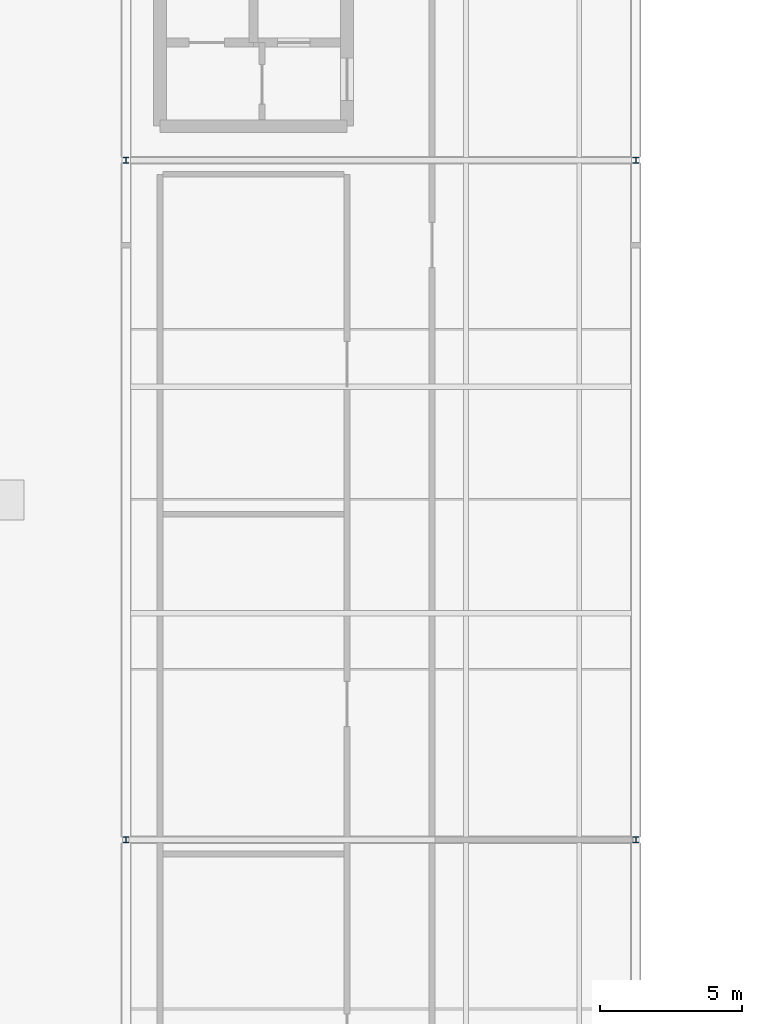
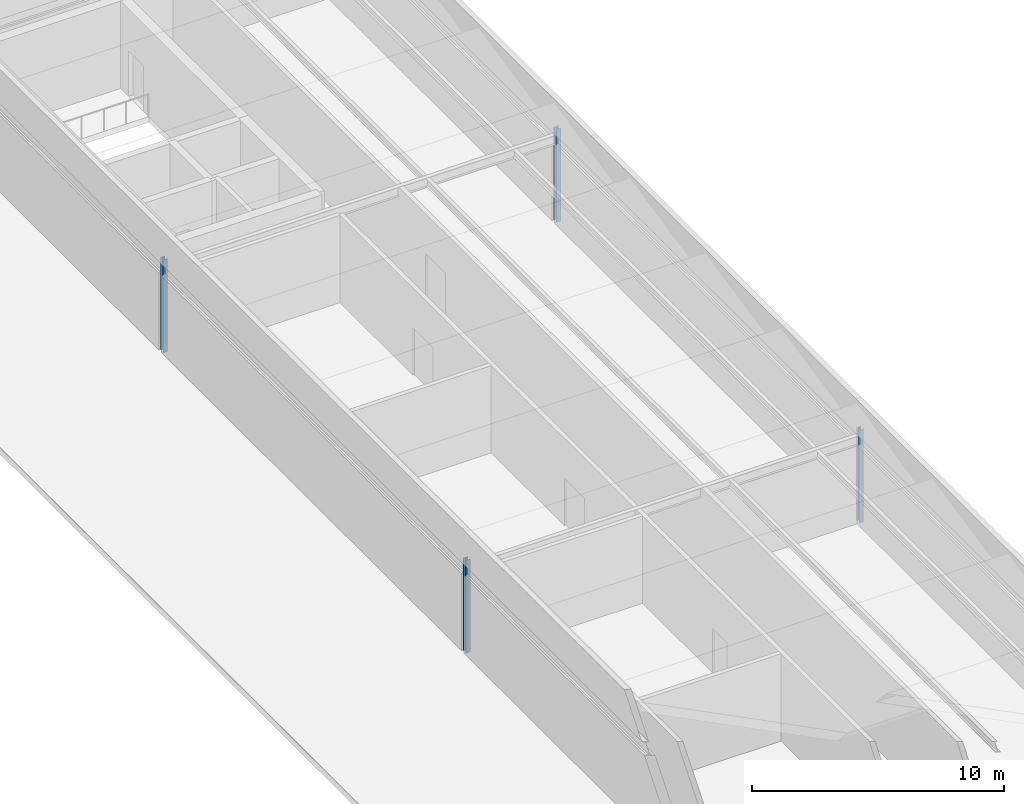
# One storey, part 2 of 13: 4 columns.
"""IFC4 building model written with IfcOpenShell, lengths in metres."""

from ifc_helpers import new_model, si_unit, direction, frame, origin, origin_2d, place, context, subcontext, project, spatial, i_section, extrude, material, material_profile, profile_set, type_object, element, save


model = new_model("IFC4")

# Units and contexts
model_context = context("Model", 3, precision=1e-05, world=origin(), true_north=direction((0.0, 1.0)))
body_context = subcontext(model_context, "Body", "Model", "MODEL_VIEW")
ifc_project = project(units=[si_unit("LENGTHUNIT", "METRE"), si_unit("AREAUNIT", "SQUARE_METRE"), si_unit("VOLUMEUNIT", "CUBIC_METRE"), si_unit("PLANEANGLEUNIT", "RADIAN"), si_unit("MASSUNIT", "GRAM", prefix="KILO")], contexts=[model_context])

# Site, building, storey
site_placement = place(None, origin())
site = spatial("IfcSite", under=ifc_project, at=site_placement, CompositionType="ELEMENT")
building_placement = place(site_placement, origin())
building = spatial("IfcBuilding", under=site, at=building_placement, Name="Kisiwana Market Hall", CompositionType="ELEMENT")
storey_placement = place(building_placement, frame((0.0, 0.0, 69.89990234375)))
storey = spatial("IfcBuildingStorey", under=building, at=storey_placement, Name="L16", CompositionType="ELEMENT", Elevation=69.89990234375)

# Columns
ifc_material = material(Name="Steel S355", Category="steel")
ifc_material_profile = material_profile(ifc_material, i_section(OverallWidth=0.205810546875, OverallDepth=0.209716796875, WebThickness=0.009521484375, FlangeThickness=0.01416015625, FilletRadius=0.01025390625, at=origin_2d()), Name="UC 203x203x60")
ifc_profile_set = profile_set([ifc_material_profile], Name="Steel S355")
column_type = type_object("IfcColumnType", Name="COL-STL-UC060", PredefinedType="COLUMN", material=ifc_profile_set)
for number, where, z_axis, x_axis, name in (
    (1, (9.0, 84.0, 0.0), (0.0, 0.0, 1.0), (1.0, 0.0, 0.0), "Column L/2 (L16) C-1512"),
    (2, (27.0, 60.0, 0.0), (0.0, 0.0, 1.0), (1.0, 0.0, 0.0), "Column H/4 (L16) C-1516"),
    (3, (27.0, 84.0, 0.0), (0.0, 0.0, 1.0), (1.0, 0.0, 0.0), "Column L/4 (L16) C-1517"),
    (4, (9.0, 60.0, 0.0), (0.0, 0.0, 1.0), (1.0, 0.0, 0.0), "Column H/2 (L16) C-1508"),
):
    element("IfcColumn", number, at=place(storey_placement, frame(where, z_axis=z_axis, x_axis=x_axis)), inside=storey, type_object=column_type, Name=name, PredefinedType="COLUMN", context=body_context, shape_type="SweptSolid", body=[
        extrude(i_section(OverallWidth=0.205810546875, OverallDepth=0.209716796875, WebThickness=0.009521484375, FlangeThickness=0.01416015625, FilletRadius=0.01025390625, at=origin_2d()), origin(), (0.0, 0.0, 1.0), 4.5),
    ])

save(model, "model.ifc")
